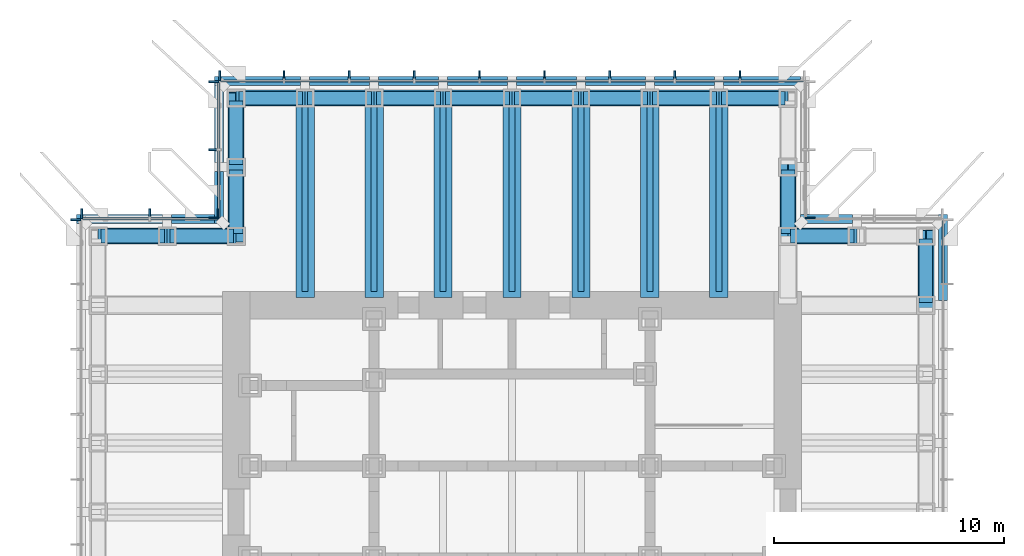
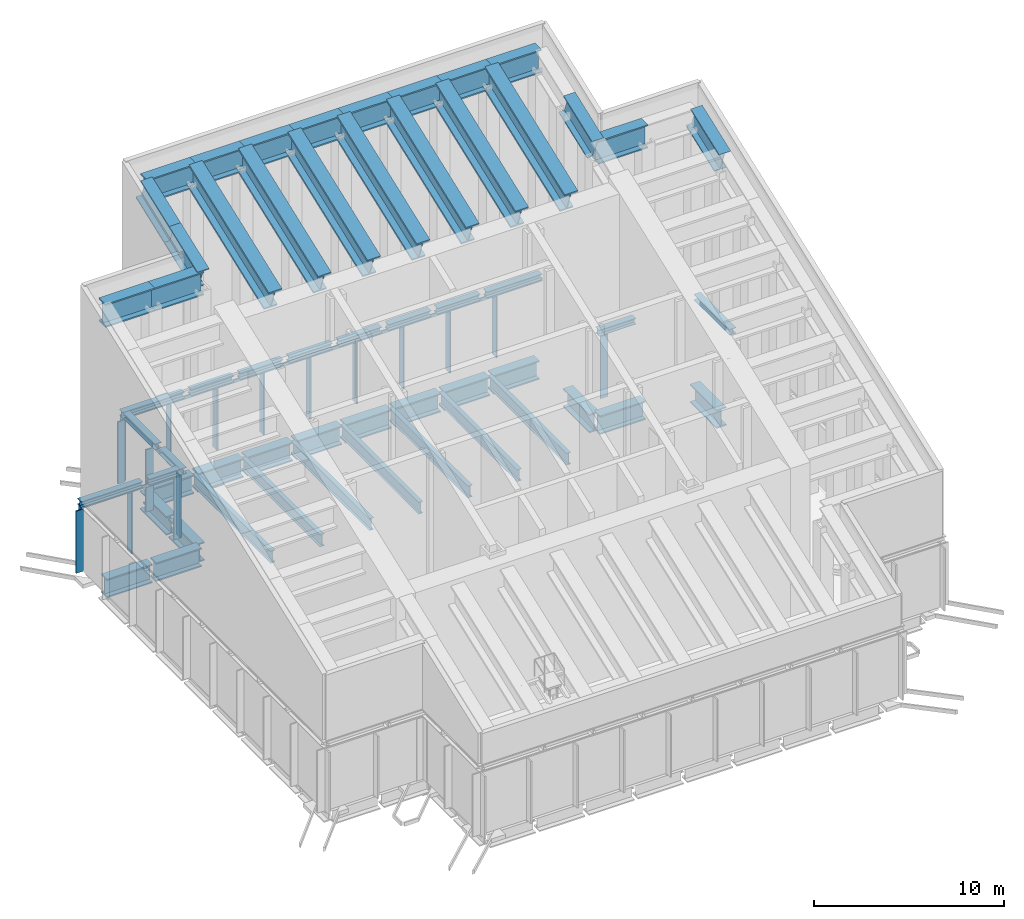
# One storey, part 6 of 15: 58 beams, 31 members, 6 elements without a shape of their own.
"""IFC4 building model written with IfcOpenShell, lengths in metres."""

from ifc_helpers import new_model, si_unit, direction, frame, origin, origin_2d, place, context, subcontext, project, spatial, rectangle, i_section, extrude, material, material_profile, profile_set, type_object, element, aggregate, save


model = new_model("IFC4")

# Units and contexts
model_context = context("Model", 3, precision=1e-05, world=origin(), true_north=direction((0.0, 1.0)))
body_context = subcontext(model_context, "Body", "Model", "MODEL_VIEW")
ifc_project = project(units=[si_unit("LENGTHUNIT", "METRE"), si_unit("AREAUNIT", "SQUARE_METRE"), si_unit("VOLUMEUNIT", "CUBIC_METRE"), si_unit("PLANEANGLEUNIT", "RADIAN"), si_unit("MASSUNIT", "GRAM", prefix="KILO")], contexts=[model_context])

# Site, building, storey
site_placement = place(None, origin())
site = spatial("IfcSite", under=ifc_project, at=site_placement, CompositionType="ELEMENT")
building_placement = place(site_placement, origin())
building = spatial("IfcBuilding", under=site, at=building_placement, Name="Daluyong Arena Tower", CompositionType="ELEMENT")
storey_placement = place(building_placement, frame((0.0, 0.0, 285.699951171875)))
storey = spatial("IfcBuildingStorey", under=building, at=storey_placement, Name="L64", CompositionType="ELEMENT", Elevation=285.699951171875)

# Curtain wall, member
ifc_material_1 = material(Name="Bronze anodised aluminium and glass", Category="aluminium")
curtain_wall_type = type_object("IfcCurtainWallType", Name="Curtain wall CW6", PredefinedType="USERDEFINED", material=ifc_material_1)
curtain_wall_1_placement = place(storey_placement, origin())
curtain_wall_1 = element("IfcCurtainWall", 1, at=curtain_wall_1_placement, inside=storey, type_object=curtain_wall_type, Name="crown louvre curtain wall L64 NE-E", ObjectType="UNITISED CURTAIN WALL", PredefinedType="USERDEFINED")
ifc_material_2 = material(Name="Bronze anodised aluminium fin", Category="aluminium")
ifc_material_profile_1 = material_profile(ifc_material_2, rectangle(XDim=0.449951171875, YDim=0.080078125, at=origin_2d()))
ifc_profile_set_1 = profile_set([ifc_material_profile_1], Name="Bronze anodised aluminium fin")
member_type_1 = type_object("IfcMemberType", Name="CW6 bronze fin 450x80", PredefinedType="MULLION", material=ifc_profile_set_1)
member_1_placement = place(storey_placement, frame((68.97509765625, 92.7900390625, 0.0), z_axis=(0.0, 0.0, 1.0), x_axis=(-1.0, 0.0, 0.0)))
member_1 = element("IfcMember", 2, at=member_1_placement, type_object=member_type_1, Name="crown louvre curtain wall L64 NE-E fin 1", PredefinedType="MULLION", context=body_context, shape_type="SweptSolid", body=[
    extrude(rectangle(XDim=0.449951171875, YDim=0.080078125, at=origin_2d()), origin(), (0.0, 0.0, 1.0), 4.0),
])
aggregate(curtain_wall_1, [member_1])

# Curtain wall, members
curtain_wall_2_placement = place(storey_placement, origin())
curtain_wall_2 = element("IfcCurtainWall", 3, at=curtain_wall_2_placement, inside=storey, type_object=curtain_wall_type, Name="crown louvre curtain wall L64 N", ObjectType="UNITISED CURTAIN WALL", PredefinedType="USERDEFINED")
member_2_placement = place(storey_placement, frame((65.916748046875, 98.97509765625, 0.0), z_axis=(0.0, 0.0, 1.0), x_axis=(0.0, -1.0, 0.0)))
member_2 = element("IfcMember", 4, at=member_2_placement, type_object=member_type_1, Name="crown louvre curtain wall L64 N fin 2", PredefinedType="MULLION", context=body_context, shape_type="SweptSolid", body=[
    extrude(rectangle(XDim=0.449951171875, YDim=0.080078125, at=origin_2d()), origin(), (0.0, 0.0, 1.0), 4.0),
])
member_3_placement = place(storey_placement, frame((63.083251953125, 98.97509765625, 0.0), z_axis=(0.0, 0.0, 1.0), x_axis=(0.0, -1.0, 0.0)))
member_3 = element("IfcMember", 5, at=member_3_placement, type_object=member_type_1, Name="crown louvre curtain wall L64 N fin 3", PredefinedType="MULLION", context=body_context, shape_type="SweptSolid", body=[
    extrude(rectangle(XDim=0.449951171875, YDim=0.080078125, at=origin_2d()), origin(), (0.0, 0.0, 1.0), 4.0),
])
member_4_placement = place(storey_placement, frame((60.25, 98.97509765625, 0.0), z_axis=(0.0, 0.0, 1.0), x_axis=(0.0, -1.0, 0.0)))
member_4 = element("IfcMember", 6, at=member_4_placement, type_object=member_type_1, Name="crown louvre curtain wall L64 N fin 4", PredefinedType="MULLION", context=body_context, shape_type="SweptSolid", body=[
    extrude(rectangle(XDim=0.449951171875, YDim=0.080078125, at=origin_2d()), origin(), (0.0, 0.0, 1.0), 4.0),
])
member_5_placement = place(storey_placement, frame((57.416748046875, 98.97509765625, 0.0), z_axis=(0.0, 0.0, 1.0), x_axis=(0.0, -1.0, 0.0)))
member_5 = element("IfcMember", 7, at=member_5_placement, type_object=member_type_1, Name="crown louvre curtain wall L64 N fin 5", PredefinedType="MULLION", context=body_context, shape_type="SweptSolid", body=[
    extrude(rectangle(XDim=0.449951171875, YDim=0.080078125, at=origin_2d()), origin(), (0.0, 0.0, 1.0), 4.0),
])
member_6_placement = place(storey_placement, frame((54.583251953125, 98.97509765625, 0.0), z_axis=(0.0, 0.0, 1.0), x_axis=(0.0, -1.0, 0.0)))
member_6 = element("IfcMember", 8, at=member_6_placement, type_object=member_type_1, Name="crown louvre curtain wall L64 N fin 6", PredefinedType="MULLION", context=body_context, shape_type="SweptSolid", body=[
    extrude(rectangle(XDim=0.449951171875, YDim=0.080078125, at=origin_2d()), origin(), (0.0, 0.0, 1.0), 4.0),
])
member_7_placement = place(storey_placement, frame((51.75, 98.97509765625, 0.0), z_axis=(0.0, 0.0, 1.0), x_axis=(0.0, -1.0, 0.0)))
member_7 = element("IfcMember", 9, at=member_7_placement, type_object=member_type_1, Name="crown louvre curtain wall L64 N fin 7", PredefinedType="MULLION", context=body_context, shape_type="SweptSolid", body=[
    extrude(rectangle(XDim=0.449951171875, YDim=0.080078125, at=origin_2d()), origin(), (0.0, 0.0, 1.0), 4.0),
])
member_8_placement = place(storey_placement, frame((48.916748046875, 98.97509765625, 0.0), z_axis=(0.0, 0.0, 1.0), x_axis=(0.0, -1.0, 0.0)))
member_8 = element("IfcMember", 10, at=member_8_placement, type_object=member_type_1, Name="crown louvre curtain wall L64 N fin 8", PredefinedType="MULLION", context=body_context, shape_type="SweptSolid", body=[
    extrude(rectangle(XDim=0.449951171875, YDim=0.080078125, at=origin_2d()), origin(), (0.0, 0.0, 1.0), 4.0),
])
member_9_placement = place(storey_placement, frame((46.083251953125, 98.97509765625, 0.0), z_axis=(0.0, 0.0, 1.0), x_axis=(0.0, -1.0, 0.0)))
member_9 = element("IfcMember", 11, at=member_9_placement, type_object=member_type_1, Name="crown louvre curtain wall L64 N fin 9", PredefinedType="MULLION", context=body_context, shape_type="SweptSolid", body=[
    extrude(rectangle(XDim=0.449951171875, YDim=0.080078125, at=origin_2d()), origin(), (0.0, 0.0, 1.0), 4.0),
])
member_10_placement = place(storey_placement, frame((43.2900390625, 98.97509765625, 0.0), z_axis=(0.0, 0.0, 1.0), x_axis=(0.0, -1.0, 0.0)))
member_10 = element("IfcMember", 12, at=member_10_placement, type_object=member_type_1, Name="crown louvre curtain wall L64 N fin 10", PredefinedType="MULLION", context=body_context, shape_type="SweptSolid", body=[
    extrude(rectangle(XDim=0.449951171875, YDim=0.080078125, at=origin_2d()), origin(), (0.0, 0.0, 1.0), 4.0),
])

curtain_wall_3_placement = place(storey_placement, origin())
curtain_wall_3 = element("IfcCurtainWall", 13, at=curtain_wall_3_placement, inside=storey, type_object=curtain_wall_type, Name="crown louvre curtain wall L64 NW-W", ObjectType="UNITISED CURTAIN WALL", PredefinedType="USERDEFINED")
member_11_placement = place(storey_placement, frame((43.02490234375, 98.7099609375, 0.0), z_axis=(0.0, 0.0, 1.0), x_axis=(1.0, 0.0, 0.0)))
member_11 = element("IfcMember", 14, at=member_11_placement, type_object=member_type_1, Name="crown louvre curtain wall L64 NW-W fin 1", PredefinedType="MULLION", context=body_context, shape_type="SweptSolid", body=[
    extrude(rectangle(XDim=0.449951171875, YDim=0.080078125, at=origin_2d()), origin(), (0.0, 0.0, 1.0), 4.0),
])
member_12_placement = place(storey_placement, frame((43.02490234375, 95.75, 0.0), z_axis=(0.0, 0.0, 1.0), x_axis=(1.0, 0.0, 0.0)))
member_12 = element("IfcMember", 15, at=member_12_placement, type_object=member_type_1, Name="crown louvre curtain wall L64 NW-W fin 2", PredefinedType="MULLION", context=body_context, shape_type="SweptSolid", body=[
    extrude(rectangle(XDim=0.449951171875, YDim=0.080078125, at=origin_2d()), origin(), (0.0, 0.0, 1.0), 4.0),
])
member_13_placement = place(storey_placement, frame((43.02490234375, 92.7900390625, 0.0), z_axis=(0.0, 0.0, 1.0), x_axis=(1.0, 0.0, 0.0)))
member_13 = element("IfcMember", 16, at=member_13_placement, type_object=member_type_1, Name="crown louvre curtain wall L64 NW-W fin 3", PredefinedType="MULLION", context=body_context, shape_type="SweptSolid", body=[
    extrude(rectangle(XDim=0.449951171875, YDim=0.080078125, at=origin_2d()), origin(), (0.0, 0.0, 1.0), 4.0),
])

curtain_wall_4_placement = place(storey_placement, origin())
curtain_wall_4 = element("IfcCurtainWall", 17, at=curtain_wall_4_placement, inside=storey, type_object=curtain_wall_type, Name="crown louvre curtain wall L64 NW-N", ObjectType="UNITISED CURTAIN WALL", PredefinedType="USERDEFINED")
member_14_placement = place(storey_placement, frame((43.2099609375, 92.97509765625, 0.0), z_axis=(0.0, 0.0, 1.0), x_axis=(0.0, -1.0, 0.0)))
member_14 = element("IfcMember", 18, at=member_14_placement, type_object=member_type_1, Name="crown louvre curtain wall L64 NW-N fin 1", PredefinedType="MULLION", context=body_context, shape_type="SweptSolid", body=[
    extrude(rectangle(XDim=0.449951171875, YDim=0.080078125, at=origin_2d()), origin(), (0.0, 0.0, 1.0), 4.0),
])
member_15_placement = place(storey_placement, frame((40.25, 92.97509765625, 0.0), z_axis=(0.0, 0.0, 1.0), x_axis=(0.0, -1.0, 0.0)))
member_15 = element("IfcMember", 19, at=member_15_placement, type_object=member_type_1, Name="crown louvre curtain wall L64 NW-N fin 2", PredefinedType="MULLION", context=body_context, shape_type="SweptSolid", body=[
    extrude(rectangle(XDim=0.449951171875, YDim=0.080078125, at=origin_2d()), origin(), (0.0, 0.0, 1.0), 4.0),
])
member_16_placement = place(storey_placement, frame((37.2900390625, 92.97509765625, 0.0), z_axis=(0.0, 0.0, 1.0), x_axis=(0.0, -1.0, 0.0)))
member_16 = element("IfcMember", 20, at=member_16_placement, type_object=member_type_1, Name="crown louvre curtain wall L64 NW-N fin 3", PredefinedType="MULLION", context=body_context, shape_type="SweptSolid", body=[
    extrude(rectangle(XDim=0.449951171875, YDim=0.080078125, at=origin_2d()), origin(), (0.0, 0.0, 1.0), 4.0),
])

# Curtain wall, member
curtain_wall_5_placement = place(storey_placement, origin())
curtain_wall_5 = element("IfcCurtainWall", 21, at=curtain_wall_5_placement, inside=storey, type_object=curtain_wall_type, Name="crown louvre curtain wall L64 W", ObjectType="UNITISED CURTAIN WALL", PredefinedType="USERDEFINED")
member_17_placement = place(storey_placement, frame((37.02490234375, 92.7099609375, 0.0), z_axis=(0.0, 0.0, 1.0), x_axis=(1.0, 0.0, 0.0)))
member_17 = element("IfcMember", 22, at=member_17_placement, type_object=member_type_1, Name="crown louvre curtain wall L64 W fin 1", PredefinedType="MULLION", context=body_context, shape_type="SweptSolid", body=[
    extrude(rectangle(XDim=0.449951171875, YDim=0.080078125, at=origin_2d()), origin(), (0.0, 0.0, 1.0), 4.0),
])
aggregate(curtain_wall_5, [member_17])

curtain_wall_6_placement = place(storey_placement, origin())
curtain_wall_6 = element("IfcCurtainWall", 23, at=curtain_wall_6_placement, inside=storey, type_object=curtain_wall_type, Name="crown louvre curtain wall L64 E", ObjectType="UNITISED CURTAIN WALL", PredefinedType="USERDEFINED")
ifc_material_3 = material(Name="Bronze anodised aluminium", Category="aluminium")
ifc_material_profile_2 = material_profile(ifc_material_3, rectangle(XDim=0.080078125, YDim=0.199951171875, at=origin_2d()))
ifc_profile_set_2 = profile_set([ifc_material_profile_2], Name="Bronze anodised aluminium")
member_type_2 = type_object("IfcMemberType", Name="CW6 stack transom 200x80", PredefinedType="USERDEFINED", material=ifc_profile_set_2)
member_18_placement = place(storey_placement, frame((74.75, 89.956787109375, 4.10009765625), z_axis=(0.0, 1.0, 0.0), x_axis=(-1.0, 0.0, 0.0)))
member_18 = element("IfcMember", 24, at=member_18_placement, type_object=member_type_2, Name="crown louvre curtain wall L64 E transom 9", ObjectType="TRANSOM", PredefinedType="USERDEFINED", context=body_context, shape_type="SweptSolid", body=[
    extrude(rectangle(XDim=0.080078125, YDim=0.199951171875, at=origin_2d()), origin(), (0.0, 0.0, 1.0), 2.713134765625),
])
aggregate(curtain_wall_6, [member_18])

# Member
member_19_placement = place(storey_placement, frame((68.669921875, 98.75, 4.10009765625), z_axis=(-1.0, 0.0, 0.0), x_axis=(0.0, -1.0, 0.0)))
member_19 = element("IfcMember", 25, at=member_19_placement, type_object=member_type_2, Name="crown louvre curtain wall L64 N transom 1", ObjectType="TRANSOM", PredefinedType="USERDEFINED", context=body_context, shape_type="SweptSolid", body=[
    extrude(rectangle(XDim=0.080078125, YDim=0.199951171875, at=origin_2d()), origin(), (0.0, 0.0, 1.0), 2.713134765625),
])

member_20_placement = place(storey_placement, frame((65.876708984375, 98.75, 4.10009765625), z_axis=(-1.0, 0.0, 0.0), x_axis=(0.0, -1.0, 0.0)))
member_20 = element("IfcMember", 26, at=member_20_placement, type_object=member_type_2, Name="crown louvre curtain wall L64 N transom 2", ObjectType="TRANSOM", PredefinedType="USERDEFINED", context=body_context, shape_type="SweptSolid", body=[
    extrude(rectangle(XDim=0.080078125, YDim=0.199951171875, at=origin_2d()), origin(), (0.0, 0.0, 1.0), 2.75341796875),
])

member_21_placement = place(storey_placement, frame((63.043212890625, 98.75, 4.10009765625), z_axis=(-1.0, 0.0, 0.0), x_axis=(0.0, -1.0, 0.0)))
member_21 = element("IfcMember", 27, at=member_21_placement, type_object=member_type_2, Name="crown louvre curtain wall L64 N transom 3", ObjectType="TRANSOM", PredefinedType="USERDEFINED", context=body_context, shape_type="SweptSolid", body=[
    extrude(rectangle(XDim=0.080078125, YDim=0.199951171875, at=origin_2d()), origin(), (0.0, 0.0, 1.0), 2.753173828125),
])

member_22_placement = place(storey_placement, frame((60.2099609375, 98.75, 4.10009765625), z_axis=(-1.0, 0.0, 0.0), x_axis=(0.0, -1.0, 0.0)))
member_22 = element("IfcMember", 28, at=member_22_placement, type_object=member_type_2, Name="crown louvre curtain wall L64 N transom 4", ObjectType="TRANSOM", PredefinedType="USERDEFINED", context=body_context, shape_type="SweptSolid", body=[
    extrude(rectangle(XDim=0.080078125, YDim=0.199951171875, at=origin_2d()), origin(), (0.0, 0.0, 1.0), 2.753173828125),
])

member_23_placement = place(storey_placement, frame((57.376708984375, 98.75, 4.10009765625), z_axis=(-1.0, 0.0, 0.0), x_axis=(0.0, -1.0, 0.0)))
member_23 = element("IfcMember", 29, at=member_23_placement, type_object=member_type_2, Name="crown louvre curtain wall L64 N transom 5", ObjectType="TRANSOM", PredefinedType="USERDEFINED", context=body_context, shape_type="SweptSolid", body=[
    extrude(rectangle(XDim=0.080078125, YDim=0.199951171875, at=origin_2d()), origin(), (0.0, 0.0, 1.0), 2.75341796875),
])

member_24_placement = place(storey_placement, frame((54.543212890625, 98.75, 4.10009765625), z_axis=(-1.0, 0.0, 0.0), x_axis=(0.0, -1.0, 0.0)))
member_24 = element("IfcMember", 30, at=member_24_placement, type_object=member_type_2, Name="crown louvre curtain wall L64 N transom 6", ObjectType="TRANSOM", PredefinedType="USERDEFINED", context=body_context, shape_type="SweptSolid", body=[
    extrude(rectangle(XDim=0.080078125, YDim=0.199951171875, at=origin_2d()), origin(), (0.0, 0.0, 1.0), 2.753173828125),
])

member_25_placement = place(storey_placement, frame((51.7099609375, 98.75, 4.10009765625), z_axis=(-1.0, 0.0, 0.0), x_axis=(0.0, -1.0, 0.0)))
member_25 = element("IfcMember", 31, at=member_25_placement, type_object=member_type_2, Name="crown louvre curtain wall L64 N transom 7", ObjectType="TRANSOM", PredefinedType="USERDEFINED", context=body_context, shape_type="SweptSolid", body=[
    extrude(rectangle(XDim=0.080078125, YDim=0.199951171875, at=origin_2d()), origin(), (0.0, 0.0, 1.0), 2.753173828125),
])

member_26_placement = place(storey_placement, frame((48.876708984375, 98.75, 4.10009765625), z_axis=(-1.0, 0.0, 0.0), x_axis=(0.0, -1.0, 0.0)))
member_26 = element("IfcMember", 32, at=member_26_placement, type_object=member_type_2, Name="crown louvre curtain wall L64 N transom 8", ObjectType="TRANSOM", PredefinedType="USERDEFINED", context=body_context, shape_type="SweptSolid", body=[
    extrude(rectangle(XDim=0.080078125, YDim=0.199951171875, at=origin_2d()), origin(), (0.0, 0.0, 1.0), 2.75341796875),
])

member_27_placement = place(storey_placement, frame((46.043212890625, 98.75, 4.10009765625), z_axis=(-1.0, 0.0, 0.0), x_axis=(0.0, -1.0, 0.0)))
member_27 = element("IfcMember", 33, at=member_27_placement, type_object=member_type_2, Name="crown louvre curtain wall L64 N transom 9", ObjectType="TRANSOM", PredefinedType="USERDEFINED", context=body_context, shape_type="SweptSolid", body=[
    extrude(rectangle(XDim=0.080078125, YDim=0.199951171875, at=origin_2d()), origin(), (0.0, 0.0, 1.0), 2.713134765625),
])

aggregate(curtain_wall_2, [member_2, member_3, member_4, member_5, member_6, member_7, member_8, member_9, member_10, member_19, member_20, member_21, member_22, member_23, member_24, member_25, member_26, member_27])

member_28_placement = place(storey_placement, frame((43.25, 98.669921875, 4.10009765625), z_axis=(0.0, -1.0, 0.0), x_axis=(1.0, 0.0, 0.0)))
member_28 = element("IfcMember", 34, at=member_28_placement, type_object=member_type_2, Name="crown louvre curtain wall L64 NW-W transom 1", ObjectType="TRANSOM", PredefinedType="USERDEFINED", context=body_context, shape_type="SweptSolid", body=[
    extrude(rectangle(XDim=0.080078125, YDim=0.199951171875, at=origin_2d()), origin(), (0.0, 0.0, 1.0), 2.8798828125),
])

member_29_placement = place(storey_placement, frame((43.25, 95.7099609375, 4.10009765625), z_axis=(0.0, -1.0, 0.0), x_axis=(1.0, 0.0, 0.0)))
member_29 = element("IfcMember", 35, at=member_29_placement, type_object=member_type_2, Name="crown louvre curtain wall L64 NW-W transom 2", ObjectType="TRANSOM", PredefinedType="USERDEFINED", context=body_context, shape_type="SweptSolid", body=[
    extrude(rectangle(XDim=0.080078125, YDim=0.199951171875, at=origin_2d()), origin(), (0.0, 0.0, 1.0), 2.8798828125),
])

aggregate(curtain_wall_3, [member_11, member_12, member_13, member_28, member_29])

member_30_placement = place(storey_placement, frame((43.169921875, 92.75, 4.10009765625), z_axis=(-1.0, 0.0, 0.0), x_axis=(0.0, -1.0, 0.0)))
member_30 = element("IfcMember", 36, at=member_30_placement, type_object=member_type_2, Name="crown louvre curtain wall L64 NW-N transom 1", ObjectType="TRANSOM", PredefinedType="USERDEFINED", context=body_context, shape_type="SweptSolid", body=[
    extrude(rectangle(XDim=0.080078125, YDim=0.199951171875, at=origin_2d()), origin(), (0.0, 0.0, 1.0), 2.8798828125),
])

member_31_placement = place(storey_placement, frame((40.2099609375, 92.75, 4.10009765625), z_axis=(-1.0, 0.0, 0.0), x_axis=(0.0, -1.0, 0.0)))
member_31 = element("IfcMember", 37, at=member_31_placement, type_object=member_type_2, Name="crown louvre curtain wall L64 NW-N transom 2", ObjectType="TRANSOM", PredefinedType="USERDEFINED", context=body_context, shape_type="SweptSolid", body=[
    extrude(rectangle(XDim=0.080078125, YDim=0.199951171875, at=origin_2d()), origin(), (0.0, 0.0, 1.0), 2.8798828125),
])

aggregate(curtain_wall_4, [member_14, member_15, member_16, member_30, member_31])

# Beams
ifc_material_4 = material(Name="Steel ASTM A992 Grade 50", Category="steel")
ifc_material_profile_3 = material_profile(ifc_material_4, i_section(OverallWidth=0.398681640625, OverallDepth=0.385986328125, WebThickness=0.02099609375, FlangeThickness=0.033203125, at=origin_2d()))
ifc_profile_set_3 = profile_set([ifc_material_profile_3], Name="Steel ASTM A992 Grade 50")
beam_type_1 = type_object("IfcBeamType", Name="Crown louvre support beam W14X176", PredefinedType="BEAM", material=ifc_profile_set_3)
beam_1_placement = place(storey_placement, frame((74.75, 89.199462890625, 4.39306640625), z_axis=(0.0, 1.0, 0.0), x_axis=(-1.0, 0.0, 0.0)))
element("IfcBeam", 38, at=beam_1_placement, inside=storey, type_object=beam_type_1, Name="crown louvre support beam LS1", PredefinedType="BEAM", context=body_context, shape_type="SweptSolid", body=[
    extrude(i_section(OverallWidth=0.398681640625, OverallDepth=0.385986328125, WebThickness=0.02099609375, FlangeThickness=0.033203125, at=origin_2d()), origin(), (0.0, 0.0, 1.0), 3.75),
])
beam_2_placement = place(storey_placement, frame((70.800537109375, 92.75, 4.39306640625), z_axis=(-1.0, 0.0, 0.0), x_axis=(0.0, -1.0, 0.0)))
element("IfcBeam", 39, at=beam_2_placement, inside=storey, type_object=beam_type_1, Name="crown louvre support beam LS1", PredefinedType="BEAM", context=body_context, shape_type="SweptSolid", body=[
    extrude(i_section(OverallWidth=0.398681640625, OverallDepth=0.385986328125, WebThickness=0.02099609375, FlangeThickness=0.033203125, at=origin_2d()), origin(), (0.0, 0.0, 1.0), 2.25),
])
beam_3_placement = place(storey_placement, frame((68.550537109375, 98.75, 4.39306640625), z_axis=(-1.0, 0.0, 0.0), x_axis=(0.0, -1.0, 0.0)))
element("IfcBeam", 40, at=beam_3_placement, inside=storey, type_object=beam_type_1, Name="crown louvre support beam LS1", PredefinedType="BEAM", context=body_context, shape_type="SweptSolid", body=[
    extrude(i_section(OverallWidth=0.398681640625, OverallDepth=0.385986328125, WebThickness=0.02099609375, FlangeThickness=0.033203125, at=origin_2d()), origin(), (0.0, 0.0, 1.0), 3.35107421875),
])
for number, where, z_axis, x_axis, name in (
    (41, (64.800537109375, 98.75, 4.39306640625), (-1.0, 0.0, 0.0), (0.0, -1.0, 0.0), "crown louvre support beam LS1"),
    (42, (61.800537109375, 98.75, 4.39306640625), (-1.0, 0.0, 0.0), (0.0, -1.0, 0.0), "crown louvre support beam LS1"),
    (43, (58.800537109375, 98.75, 4.39306640625), (-1.0, 0.0, 0.0), (0.0, -1.0, 0.0), "crown louvre support beam LS1"),
    (44, (55.800537109375, 98.75, 4.39306640625), (-1.0, 0.0, 0.0), (0.0, -1.0, 0.0), "crown louvre support beam LS1"),
    (45, (52.800537109375, 98.75, 4.39306640625), (-1.0, 0.0, 0.0), (0.0, -1.0, 0.0), "crown louvre support beam LS1"),
    (46, (49.800537109375, 98.75, 4.39306640625), (-1.0, 0.0, 0.0), (0.0, -1.0, 0.0), "crown louvre support beam LS1"),
):
    element("IfcBeam", number, at=place(storey_placement, frame(where, z_axis=z_axis, x_axis=x_axis)), inside=storey, type_object=beam_type_1, Name=name, PredefinedType="BEAM", context=body_context, shape_type="SweptSolid", body=[
        extrude(i_section(OverallWidth=0.398681640625, OverallDepth=0.385986328125, WebThickness=0.02099609375, FlangeThickness=0.033203125, at=origin_2d()), origin(), (0.0, 0.0, 1.0), 2.60107421875),
    ])
beam_4_placement = place(storey_placement, frame((46.800537109375, 98.75, 4.39306640625), z_axis=(-1.0, 0.0, 0.0), x_axis=(0.0, -1.0, 0.0)))
element("IfcBeam", 47, at=beam_4_placement, inside=storey, type_object=beam_type_1, Name="crown louvre support beam LS1", PredefinedType="BEAM", context=body_context, shape_type="SweptSolid", body=[
    extrude(i_section(OverallWidth=0.398681640625, OverallDepth=0.385986328125, WebThickness=0.02099609375, FlangeThickness=0.033203125, at=origin_2d()), origin(), (0.0, 0.0, 1.0), 3.75),
])
beam_5_placement = place(storey_placement, frame((43.25, 98.550537109375, 4.39306640625), z_axis=(0.0, -1.0, 0.0), x_axis=(1.0, 0.0, 0.0)))
element("IfcBeam", 48, at=beam_5_placement, inside=storey, type_object=beam_type_1, Name="crown louvre support beam LS1", PredefinedType="BEAM", context=body_context, shape_type="SweptSolid", body=[
    extrude(i_section(OverallWidth=0.398681640625, OverallDepth=0.385986328125, WebThickness=0.02099609375, FlangeThickness=0.033203125, at=origin_2d()), origin(), (0.0, 0.0, 1.0), 3.35107421875),
])
beam_6_placement = place(storey_placement, frame((43.25, 94.800537109375, 4.39306640625), z_axis=(0.0, -1.0, 0.0), x_axis=(1.0, 0.0, 0.0)))
element("IfcBeam", 49, at=beam_6_placement, inside=storey, type_object=beam_type_1, Name="crown louvre support beam LS1", PredefinedType="BEAM", context=body_context, shape_type="SweptSolid", body=[
    extrude(i_section(OverallWidth=0.398681640625, OverallDepth=0.385986328125, WebThickness=0.02099609375, FlangeThickness=0.033203125, at=origin_2d()), origin(), (0.0, 0.0, 1.0), 2.25),
])
beam_7_placement = place(storey_placement, frame((43.050537109375, 92.75, 4.39306640625), z_axis=(-1.0, 0.0, 0.0), x_axis=(0.0, -1.0, 0.0)))
element("IfcBeam", 50, at=beam_7_placement, inside=storey, type_object=beam_type_1, Name="crown louvre support beam LS1", PredefinedType="BEAM", context=body_context, shape_type="SweptSolid", body=[
    extrude(i_section(OverallWidth=0.398681640625, OverallDepth=0.385986328125, WebThickness=0.02099609375, FlangeThickness=0.033203125, at=origin_2d()), origin(), (0.0, 0.0, 1.0), 1.85107421875),
])
beam_8_placement = place(storey_placement, frame((40.800537109375, 92.75, 4.39306640625), z_axis=(-1.0, 0.0, 0.0), x_axis=(0.0, -1.0, 0.0)))
element("IfcBeam", 51, at=beam_8_placement, inside=storey, type_object=beam_type_1, Name="crown louvre support beam LS1", PredefinedType="BEAM", context=body_context, shape_type="SweptSolid", body=[
    extrude(i_section(OverallWidth=0.398681640625, OverallDepth=0.385986328125, WebThickness=0.02099609375, FlangeThickness=0.033203125, at=origin_2d()), origin(), (0.0, 0.0, 1.0), 3.75),
])
ifc_material_5 = material(Name="Steel ASTM A588 Grade 50", Category="steel")
ifc_material_profile_4 = material_profile(ifc_material_5, i_section(OverallWidth=0.800048828125, OverallDepth=1.5, WebThickness=0.05, FlangeThickness=0.12, at=origin_2d()))
ifc_profile_set_4 = profile_set([ifc_material_profile_4], Name="Steel ASTM A588 Grade 50")
beam_type_2 = type_object("IfcBeamType", Name="Crown rafter PG1500X800", PredefinedType="BEAM", material=ifc_profile_set_4)
for number, where, z_axis, x_axis, name in (
    (52, (65.0, 98.0, 19.0947265625), (0.0, -0.93622401888, -0.351403737134), (1.0, 0.0, 0.0), "crown rafter RR1"),
    (53, (62.0, 98.0, 19.0947265625), (0.0, -0.93622401888, -0.351403737134), (1.0, 0.0, 0.0), "crown rafter RR1"),
    (54, (59.0, 98.0, 19.0947265625), (0.0, -0.93622401888, -0.351403737134), (1.0, 0.0, 0.0), "crown rafter RR1"),
    (55, (56.0, 98.0, 19.0947265625), (0.0, -0.93622401888, -0.351403737134), (1.0, 0.0, 0.0), "crown rafter RR1"),
    (56, (53.0, 98.0, 19.0947265625), (0.0, -0.93622401888, -0.351403737134), (1.0, 0.0, 0.0), "crown rafter RR1"),
    (57, (50.0, 98.0, 19.0947265625), (0.0, -0.93622401888, -0.351403737134), (1.0, 0.0, 0.0), "crown rafter RR1"),
    (58, (47.0, 98.0, 19.0947265625), (0.0, -0.93622401888, -0.351403737134), (1.0, 0.0, 0.0), "crown rafter RR1"),
):
    element("IfcBeam", number, at=place(storey_placement, frame(where, z_axis=z_axis, x_axis=x_axis)), inside=storey, type_object=beam_type_2, Name=name, PredefinedType="BEAM", context=body_context, shape_type="SweptSolid", body=[
        extrude(i_section(OverallWidth=0.800048828125, OverallDepth=1.5, WebThickness=0.05, FlangeThickness=0.12, at=origin_2d()), origin(), (0.0, 0.0, 1.0), 8.97216796875),
    ])
ifc_material_6 = material(Name="Steel ASTM A572 Grade 50", Category="steel")
ifc_material_profile_5 = material_profile(ifc_material_6, i_section(OverallWidth=0.699951171875, OverallDepth=1.5, WebThickness=0.04, FlangeThickness=0.08, at=origin_2d()))
ifc_profile_set_5 = profile_set([ifc_material_profile_5], Name="Steel ASTM A572 Grade 50")
beam_type_3 = type_object("IfcBeamType", Name="Crown roof edge beam PG1500X700", PredefinedType="SPANDREL", material=ifc_profile_set_5)
beam_9_placement = place(storey_placement, frame((74.0, 89.0, 15.716796875), z_axis=(0.0, 0.936228943712, 0.351390615918), x_axis=(-1.0, 0.0, 0.0)))
element("IfcBeam", 59, at=beam_9_placement, inside=storey, type_object=beam_type_3, Name="crown roof edge beam RB1", PredefinedType="SPANDREL", context=body_context, shape_type="SweptSolid", body=[
    extrude(i_section(OverallWidth=0.699951171875, OverallDepth=1.5, WebThickness=0.04, FlangeThickness=0.08, at=origin_2d()), origin(), (0.0, 0.0, 1.0), 3.204345703125),
])
beam_10_placement = place(storey_placement, frame((71.0, 92.0, 16.762451171875), z_axis=(-1.0, 0.0, 0.0), x_axis=(0.0, -1.0, 0.0)))
element("IfcBeam", 60, at=beam_10_placement, inside=storey, type_object=beam_type_3, Name="crown roof edge beam RB1", PredefinedType="SPANDREL", context=body_context, shape_type="SweptSolid", body=[
    extrude(i_section(OverallWidth=0.699951171875, OverallDepth=1.5, WebThickness=0.04, FlangeThickness=0.08, at=origin_2d()), origin(), (0.0, 0.0, 1.0), 3.0),
])
beam_11_placement = place(storey_placement, frame((68.0, 92.0, 16.8427734375), z_axis=(0.0, 0.936228943712, 0.351390615918), x_axis=(-1.0, 0.0, 0.0)))
element("IfcBeam", 61, at=beam_11_placement, inside=storey, type_object=beam_type_3, Name="crown roof edge beam RB1", PredefinedType="SPANDREL", context=body_context, shape_type="SweptSolid", body=[
    extrude(i_section(OverallWidth=0.699951171875, OverallDepth=1.5, WebThickness=0.04, FlangeThickness=0.08, at=origin_2d()), origin(), (0.0, 0.0, 1.0), 3.204345703125),
])
for number, where, z_axis, x_axis, name in (
    (62, (68.0, 98.0, 19.014404296875), (-1.0, 0.0, 0.0), (0.0, -1.0, 0.0), "crown roof edge beam RB1"),
    (63, (65.0, 98.0, 19.014404296875), (-1.0, 0.0, 0.0), (0.0, -1.0, 0.0), "crown roof edge beam RB1"),
    (64, (62.0, 98.0, 19.014404296875), (-1.0, 0.0, 0.0), (0.0, -1.0, 0.0), "crown roof edge beam RB1"),
    (65, (59.0, 98.0, 19.014404296875), (-1.0, 0.0, 0.0), (0.0, -1.0, 0.0), "crown roof edge beam RB1"),
    (66, (56.0, 98.0, 19.014404296875), (-1.0, 0.0, 0.0), (0.0, -1.0, 0.0), "crown roof edge beam RB1"),
    (67, (53.0, 98.0, 19.014404296875), (-1.0, 0.0, 0.0), (0.0, -1.0, 0.0), "crown roof edge beam RB1"),
    (68, (50.0, 98.0, 19.014404296875), (-1.0, 0.0, 0.0), (0.0, -1.0, 0.0), "crown roof edge beam RB1"),
    (69, (47.0, 98.0, 19.014404296875), (-1.0, 0.0, 0.0), (0.0, -1.0, 0.0), "crown roof edge beam RB1"),
):
    element("IfcBeam", number, at=place(storey_placement, frame(where, z_axis=z_axis, x_axis=x_axis)), inside=storey, type_object=beam_type_3, Name=name, PredefinedType="SPANDREL", context=body_context, shape_type="SweptSolid", body=[
        extrude(i_section(OverallWidth=0.699951171875, OverallDepth=1.5, WebThickness=0.04, FlangeThickness=0.08, at=origin_2d()), origin(), (0.0, 0.0, 1.0), 3.0),
    ])
for number, where, z_axis, x_axis, name in (
    (70, (44.0, 98.0, 19.0947265625), (0.0, -0.936228943712, -0.351390615918), (1.0, 0.0, 0.0), "crown roof edge beam RB1"),
    (71, (44.0, 95.0, 17.96875), (0.0, -0.936228943712, -0.351390615918), (1.0, 0.0, 0.0), "crown roof edge beam RB1"),
):
    element("IfcBeam", number, at=place(storey_placement, frame(where, z_axis=z_axis, x_axis=x_axis)), inside=storey, type_object=beam_type_3, Name=name, PredefinedType="SPANDREL", context=body_context, shape_type="SweptSolid", body=[
        extrude(i_section(OverallWidth=0.699951171875, OverallDepth=1.5, WebThickness=0.04, FlangeThickness=0.08, at=origin_2d()), origin(), (0.0, 0.0, 1.0), 3.204345703125),
    ])
for number, where, z_axis, x_axis, name in (
    (72, (44.0, 92.0, 16.762451171875), (-1.0, 0.0, 0.0), (0.0, -1.0, 0.0), "crown roof edge beam RB1"),
    (73, (41.0, 92.0, 16.762451171875), (-1.0, 0.0, 0.0), (0.0, -1.0, 0.0), "crown roof edge beam RB1"),
):
    element("IfcBeam", number, at=place(storey_placement, frame(where, z_axis=z_axis, x_axis=x_axis)), inside=storey, type_object=beam_type_3, Name=name, PredefinedType="SPANDREL", context=body_context, shape_type="SweptSolid", body=[
        extrude(i_section(OverallWidth=0.699951171875, OverallDepth=1.5, WebThickness=0.04, FlangeThickness=0.08, at=origin_2d()), origin(), (0.0, 0.0, 1.0), 3.0),
    ])
ifc_material_7 = material(Name="Steel ASTM A992 Grade 50", Category="steel")
ifc_material_profile_6 = material_profile(ifc_material_7, i_section(OverallWidth=0.2666015625, OverallDepth=0.761962890625, WebThickness=0.014404296875, FlangeThickness=0.021484375, at=origin_2d()))
ifc_profile_set_6 = profile_set([ifc_material_profile_6], Name="Steel ASTM A992 Grade 50")
beam_type_4 = type_object("IfcBeamType", Name="Floor beam W30X116", PredefinedType="BEAM", material=ifc_profile_set_6)
for number, where, z_axis, x_axis, name in (
    (74, (65.0, 97.885009765625, -0.630859375), (0.0, -1.0, 0.0), (1.0, 0.0, 0.0), "floor beam FB4"),
    (75, (62.0, 97.885009765625, -0.630859375), (0.0, -1.0, 0.0), (1.0, 0.0, 0.0), "floor beam FB4"),
    (76, (59.0, 97.885009765625, -0.630859375), (0.0, -1.0, 0.0), (1.0, 0.0, 0.0), "floor beam FB4"),
    (77, (56.0, 97.885009765625, -0.630859375), (0.0, -1.0, 0.0), (1.0, 0.0, 0.0), "floor beam FB4"),
    (78, (53.0, 97.885009765625, -0.630859375), (0.0, -1.0, 0.0), (1.0, 0.0, 0.0), "floor beam FB4"),
    (79, (50.0, 97.885009765625, -0.630859375), (0.0, -1.0, 0.0), (1.0, 0.0, 0.0), "floor beam FB4"),
    (80, (47.0, 97.885009765625, -0.630859375), (0.0, -1.0, 0.0), (1.0, 0.0, 0.0), "floor beam FB4"),
):
    element("IfcBeam", number, at=place(storey_placement, frame(where, z_axis=z_axis, x_axis=x_axis)), inside=storey, type_object=beam_type_4, Name=name, PredefinedType="BEAM", context=body_context, shape_type="SweptSolid", body=[
        extrude(i_section(OverallWidth=0.2666015625, OverallDepth=0.761962890625, WebThickness=0.014404296875, FlangeThickness=0.021484375, at=origin_2d()), origin(), (0.0, 0.0, 1.0), 8.284912109375),
    ])
ifc_material_8 = material(Name="Steel ASTM A572 Grade 50", Category="steel")
ifc_material_profile_7 = material_profile(ifc_material_8, i_section(OverallWidth=0.60009765625, OverallDepth=1.199951171875, WebThickness=0.03, FlangeThickness=0.08, at=origin_2d()))
ifc_profile_set_7 = profile_set([ifc_material_profile_7], Name="Steel ASTM A572 Grade 50")
beam_type_5 = type_object("IfcBeamType", Name="Spandrel ZC PG1200X600", PredefinedType="SPANDREL", material=ifc_profile_set_7)
for number, where, z_axis, x_axis, name in (
    (81, (74.0, 89.114990234375, -0.849853515625), (0.0, 1.0, 0.0), (-1.0, 0.0, 0.0), "spandrel zc SB10"),
    (82, (70.885009765625, 92.0, -0.849853515625), (-1.0, 0.0, 0.0), (0.0, -1.0, 0.0), "spandrel zc SB10"),
    (83, (68.0, 92.114990234375, -0.849853515625), (0.0, 1.0, 0.0), (-1.0, 0.0, 0.0), "spandrel zc SB10"),
    (84, (67.885009765625, 98.0, -0.849853515625), (-1.0, 0.0, 0.0), (0.0, -1.0, 0.0), "spandrel zc SB10"),
    (85, (64.885009765625, 98.0, -0.849853515625), (-1.0, 0.0, 0.0), (0.0, -1.0, 0.0), "spandrel zc SB10"),
    (86, (61.885009765625, 98.0, -0.849853515625), (-1.0, 0.0, 0.0), (0.0, -1.0, 0.0), "spandrel zc SB10"),
    (87, (58.885009765625, 98.0, -0.849853515625), (-1.0, 0.0, 0.0), (0.0, -1.0, 0.0), "spandrel zc SB10"),
    (88, (55.885009765625, 98.0, -0.849853515625), (-1.0, 0.0, 0.0), (0.0, -1.0, 0.0), "spandrel zc SB10"),
    (89, (52.885009765625, 98.0, -0.849853515625), (-1.0, 0.0, 0.0), (0.0, -1.0, 0.0), "spandrel zc SB10"),
    (90, (49.885009765625, 98.0, -0.849853515625), (-1.0, 0.0, 0.0), (0.0, -1.0, 0.0), "spandrel zc SB10"),
    (91, (46.885009765625, 98.0, -0.849853515625), (-1.0, 0.0, 0.0), (0.0, -1.0, 0.0), "spandrel zc SB10"),
    (92, (44.0, 97.885009765625, -0.849853515625), (0.0, -1.0, 0.0), (1.0, 0.0, 0.0), "spandrel zc SB10"),
    (93, (44.0, 94.885009765625, -0.849853515625), (0.0, -1.0, 0.0), (1.0, 0.0, 0.0), "spandrel zc SB10"),
    (94, (43.885009765625, 92.0, -0.849853515625), (-1.0, 0.0, 0.0), (0.0, -1.0, 0.0), "spandrel zc SB10"),
    (95, (40.885009765625, 92.0, -0.849853515625), (-1.0, 0.0, 0.0), (0.0, -1.0, 0.0), "spandrel zc SB10"),
):
    element("IfcBeam", number, at=place(storey_placement, frame(where, z_axis=z_axis, x_axis=x_axis)), inside=storey, type_object=beam_type_5, Name=name, PredefinedType="SPANDREL", context=body_context, shape_type="SweptSolid", body=[
        extrude(i_section(OverallWidth=0.60009765625, OverallDepth=1.199951171875, WebThickness=0.03, FlangeThickness=0.08, at=origin_2d()), origin(), (0.0, 0.0, 1.0), 2.77001953125),
    ])

save(model, "model.ifc")
